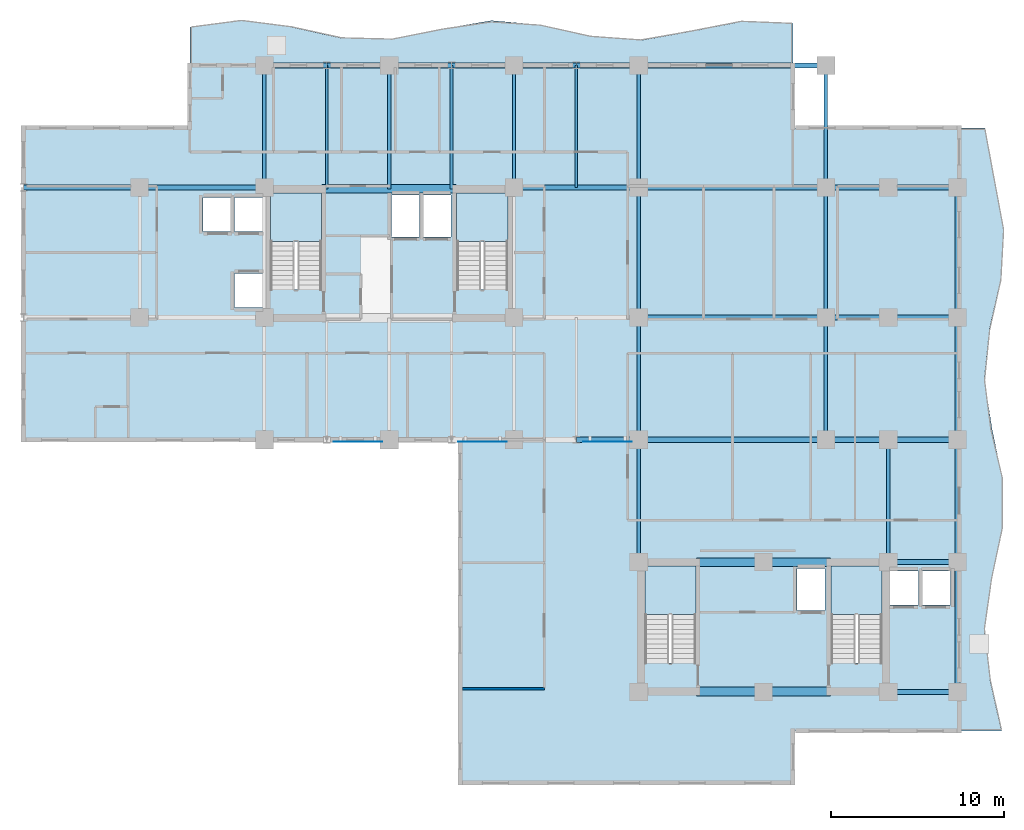
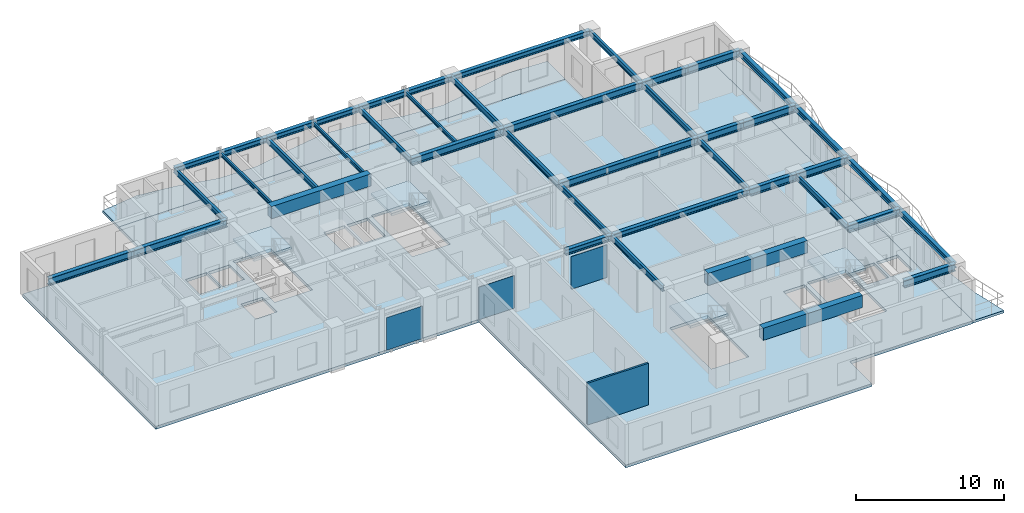
# One storey, part 3 of 13: 43 beams, 7 slabs, 3 plates, 1 wall, 4 elements without a shape of their own.
"""IFC4 building model written with IfcOpenShell, lengths in metres."""

from ifc_helpers import new_model, si_unit, direction, frame, frame_2d, origin, origin_2d, place, context, subcontext, project, spatial, polyline, rectangle, i_section, outline, extrude, source, transform, mapped, material, layer, layer_set, material_profile, profile_set, type_object, element, aggregate, save


model = new_model("IFC4")

# Units and contexts
model_context = context("Model", 3, precision=1e-05, world=origin(), true_north=direction((0.0, 1.0)))
body_context = subcontext(model_context, "Body", "Model", "MODEL_VIEW")
ifc_project = project(units=[si_unit("LENGTHUNIT", "METRE"), si_unit("AREAUNIT", "SQUARE_METRE"), si_unit("VOLUMEUNIT", "CUBIC_METRE"), si_unit("PLANEANGLEUNIT", "RADIAN"), si_unit("MASSUNIT", "GRAM", prefix="KILO")], contexts=[model_context])

# Site, building, storey
site_placement = place(None, origin())
site = spatial("IfcSite", under=ifc_project, at=site_placement, CompositionType="ELEMENT")
building_placement = place(site_placement, origin())
building = spatial("IfcBuilding", under=site, at=building_placement, Name="Kaliganga Portal Commons", CompositionType="ELEMENT")
storey_placement = place(building_placement, frame((0.0, 0.0, 180.89990234375)))
storey = spatial("IfcBuildingStorey", under=building, at=storey_placement, Name="L46", CompositionType="ELEMENT", Elevation=180.89990234375)

# Beams
ifc_material_1 = material(Name="Concrete C50/60", Category="concrete")
ifc_material_profile_1 = material_profile(ifc_material_1, rectangle(XDim=0.5, YDim=1.0, at=origin_2d()), Name="RC 500x1000")
ifc_profile_set_1 = profile_set([ifc_material_profile_1], Name="Concrete C50/60")
beam_type_1 = type_object("IfcBeamType", Name="BM-CPL-1000", PredefinedType="LINTEL", material=ifc_profile_set_1)
shared_shape_1 = source(origin(), body_context, "Body", "SweptSolid", [
    extrude(rectangle(XDim=0.5, YDim=1.0, at=origin_2d()), origin(), (0.0, 0.0, 1.0), 7.739990234375),
])
for number, where, z_axis, x_axis, name in (
    (1, (17.72998046875, 36.074951171875, 2.960205078125), (1.0, 0.0, 0.0), (0.0, 1.0, 0.0), "BM CPL COREA L46 N"),
    (2, (39.330078125, 7.074951171875, 2.960205078125), (1.0, 0.0, 0.0), (0.0, 1.0, 0.0), "BM CPL COREB L46 S"),
    (3, (39.330078125, 14.52490234375, 2.960205078125), (1.0, 0.0, 0.0), (0.0, 1.0, 0.0), "BM CPL COREB L46 N"),
):
    element("IfcBeam", number, at=place(storey_placement, frame(where, z_axis=z_axis, x_axis=x_axis)), inside=storey, type_object=beam_type_1, Name=name, PredefinedType="LINTEL", context=body_context, shape_type="MappedRepresentation", body=[
        mapped(shared_shape_1, transform((0.0, 0.0, 0.0), x_axis=(1.0, 0.0, 0.0), y_axis=(0.0, 1.0, 0.0), z_axis=(0.0, 0.0, 1.0), scale=1.0)),
    ])
ifc_material_2 = material(Name="Structural steel S355J2", Category="steel")
ifc_material_profile_2 = material_profile(ifc_material_2, i_section(OverallWidth=0.300048828125, OverallDepth=0.449951171875, WebThickness=0.013916015625, FlangeThickness=0.02587890625, FilletRadius=0.027099609375, at=origin_2d()), Name="HE 450 B")
ifc_profile_set_2 = profile_set([ifc_material_profile_2], Name="Structural steel S355J2 wide-flange")
beam_type_2 = type_object("IfcBeamType", Name="BM-SPAND-450", PredefinedType="SPANDREL", material=ifc_profile_set_2)
shared_shape_2 = source(origin(), body_context, "Body", "SweptSolid", [
    extrude(i_section(OverallWidth=0.300048828125, OverallDepth=0.449951171875, WebThickness=0.013916015625, FlangeThickness=0.02587890625, FilletRadius=0.027099609375, at=origin_2d()), origin(), (0.0, 0.0, 1.0), 3.60009765625),
])
for number, where, z_axis, x_axis, name in (
    (4, (14.39990234375, 43.199951171875, 3.235107421875), (1.0, 0.0, 0.0), (0.0, 1.0, 0.0), "BM SP L46 AN 1"),
    (5, (18.0, 43.199951171875, 3.235107421875), (1.0, 0.0, 0.0), (0.0, 1.0, 0.0), "BM SP L46 AN 2"),
    (6, (25.199951171875, 43.199951171875, 3.235107421875), (1.0, 0.0, 0.0), (0.0, 1.0, 0.0), "BM SP L46 AN 4"),
    (7, (32.39990234375, 43.199951171875, 3.235107421875), (1.0, 0.0, 0.0), (0.0, 1.0, 0.0), "BM SP L46 AN 6"),
    (8, (32.39990234375, 21.60009765625, 3.235107421875), (1.0, 0.0, 0.0), (0.0, 1.0, 0.0), "BM SP L46 AS 6"),
):
    element("IfcBeam", number, at=place(storey_placement, frame(where, z_axis=z_axis, x_axis=x_axis)), inside=storey, type_object=beam_type_2, Name=name, PredefinedType="SPANDREL", context=body_context, shape_type="MappedRepresentation", body=[
        mapped(shared_shape_2, transform((0.0, 0.0, 0.0), x_axis=(1.0, 0.0, 0.0), y_axis=(0.0, 1.0, 0.0), z_axis=(0.0, 0.0, 1.0), scale=1.0)),
    ])
shared_shape_3 = source(origin(), body_context, "Body", "SweptSolid", [
    extrude(i_section(OverallWidth=0.300048828125, OverallDepth=0.449951171875, WebThickness=0.013916015625, FlangeThickness=0.02587890625, FilletRadius=0.027099609375, at=origin_2d()), origin(), (0.0, 0.0, 1.0), 3.599853515625),
])
for number, where, z_axis, x_axis, name in (
    (9, (21.60009765625, 43.199951171875, 3.235107421875), (1.0, 0.0, 0.0), (0.0, 1.0, 0.0), "BM SP L46 AN 3"),
    (10, (28.800048828125, 43.199951171875, 3.235107421875), (1.0, 0.0, 0.0), (0.0, 1.0, 0.0), "BM SP L46 AN 5"),
):
    element("IfcBeam", number, at=place(storey_placement, frame(where, z_axis=z_axis, x_axis=x_axis)), inside=storey, type_object=beam_type_2, Name=name, PredefinedType="SPANDREL", context=body_context, shape_type="MappedRepresentation", body=[
        mapped(shared_shape_3, transform((0.0, 0.0, 0.0), x_axis=(1.0, 0.0, 0.0), y_axis=(0.0, 1.0, 0.0), z_axis=(0.0, 0.0, 1.0), scale=1.0)),
    ])
shared_shape_4 = source(origin(), body_context, "Body", "SweptSolid", [
    extrude(i_section(OverallWidth=0.300048828125, OverallDepth=0.449951171875, WebThickness=0.013916015625, FlangeThickness=0.02587890625, FilletRadius=0.027099609375, at=origin_2d()), origin(), (0.0, 0.0, 1.0), 10.800048828125),
])
for number, where, z_axis, x_axis, name in (
    (11, (36.0, 43.199951171875, 3.235107421875), (1.0, 0.0, 0.0), (0.0, 1.0, 0.0), "BM SP L46 AN 7"),
    (12, (36.0, 21.60009765625, 3.235107421875), (1.0, 0.0, 0.0), (0.0, 1.0, 0.0), "BM SP L46 AS 7"),
):
    element("IfcBeam", number, at=place(storey_placement, frame(where, z_axis=z_axis, x_axis=x_axis)), inside=storey, type_object=beam_type_2, Name=name, PredefinedType="SPANDREL", context=body_context, shape_type="MappedRepresentation", body=[
        mapped(shared_shape_4, transform((0.0, 0.0, 0.0), x_axis=(1.0, 0.0, 0.0), y_axis=(0.0, 1.0, 0.0), z_axis=(0.0, 0.0, 1.0), scale=1.0)),
    ])
shared_shape_5 = source(origin(), body_context, "Body", "SweptSolid", [
    extrude(i_section(OverallWidth=0.300048828125, OverallDepth=0.449951171875, WebThickness=0.013916015625, FlangeThickness=0.02587890625, FilletRadius=0.027099609375, at=origin_2d()), origin(), (0.0, 0.0, 1.0), 7.5),
])
for number, where, z_axis, x_axis, name in (
    (13, (54.39990234375, 7.050048828125, 3.235107421875), (0.0, 1.0, 0.0), (-1.0, 0.0, 0.0), "BM SP L46 BE 1"),
    (14, (54.39990234375, 28.64990234375, 3.235107421875), (0.0, 1.0, 0.0), (-1.0, 0.0, 0.0), "BM SP L46 BE 4"),
):
    element("IfcBeam", number, at=place(storey_placement, frame(where, z_axis=z_axis, x_axis=x_axis)), inside=storey, type_object=beam_type_2, Name=name, PredefinedType="SPANDREL", context=body_context, shape_type="MappedRepresentation", body=[
        mapped(shared_shape_5, transform((0.0, 0.0, 0.0), x_axis=(1.0, 0.0, 0.0), y_axis=(0.0, 1.0, 0.0), z_axis=(0.0, 0.0, 1.0), scale=1.0)),
    ])
shared_shape_6 = source(origin(), body_context, "Body", "SweptSolid", [
    extrude(i_section(OverallWidth=0.300048828125, OverallDepth=0.449951171875, WebThickness=0.013916015625, FlangeThickness=0.02587890625, FilletRadius=0.027099609375, at=origin_2d()), origin(), (0.0, 0.0, 1.0), 7.050048828125),
])
beam_1_placement = place(storey_placement, frame((54.39990234375, 14.550048828125, 3.235107421875), z_axis=(0.0, 1.0, 0.0), x_axis=(-1.0, 0.0, 0.0)))
element("IfcBeam", 15, at=beam_1_placement, inside=storey, type_object=beam_type_2, Name="BM SP L46 BE 2", PredefinedType="SPANDREL", context=body_context, shape_type="MappedRepresentation", body=[
    mapped(shared_shape_6, transform((0.0, 0.0, 0.0), x_axis=(1.0, 0.0, 0.0), y_axis=(0.0, 1.0, 0.0), z_axis=(0.0, 0.0, 1.0), scale=1.0)),
])
shared_shape_7 = source(origin(), body_context, "Body", "SweptSolid", [
    extrude(i_section(OverallWidth=0.300048828125, OverallDepth=0.449951171875, WebThickness=0.013916015625, FlangeThickness=0.02587890625, FilletRadius=0.027099609375, at=origin_2d()), origin(), (0.0, 0.0, 1.0), 7.0498046875),
])
beam_2_placement = place(storey_placement, frame((54.39990234375, 21.60009765625, 3.235107421875), z_axis=(0.0, 1.0, 0.0), x_axis=(-1.0, 0.0, 0.0)))
element("IfcBeam", 16, at=beam_2_placement, inside=storey, type_object=beam_type_2, Name="BM SP L46 BE 3", PredefinedType="SPANDREL", context=body_context, shape_type="MappedRepresentation", body=[
    mapped(shared_shape_7, transform((0.0, 0.0, 0.0), x_axis=(1.0, 0.0, 0.0), y_axis=(0.0, 1.0, 0.0), z_axis=(0.0, 0.0, 1.0), scale=1.0)),
])
ifc_material_profile_3 = material_profile(ifc_material_2, i_section(OverallWidth=0.300048828125, OverallDepth=0.60009765625, WebThickness=0.015380859375, FlangeThickness=0.030029296875, FilletRadius=0.027099609375, at=origin_2d()), Name="HE 600 B")
ifc_profile_set_3 = profile_set([ifc_material_profile_3], Name="Structural steel S355J2 wide-flange")
beam_type_3 = type_object("IfcBeamType", Name="BM-GIRD-600", PredefinedType="USERDEFINED", material=ifc_profile_set_3)
shared_shape_8 = source(origin(), body_context, "Body", "SweptSolid", [
    extrude(i_section(OverallWidth=0.300048828125, OverallDepth=0.60009765625, WebThickness=0.015380859375, FlangeThickness=0.030029296875, FilletRadius=0.027099609375, at=origin_2d()), origin(), (0.0, 0.0, 1.0), 6.699951171875),
])
beam_3_placement = place(storey_placement, frame((0.5, 36.14990234375, 3.16015625), z_axis=(1.0, 0.0, 0.0), x_axis=(0.0, 1.0, 0.0)))
element("IfcBeam", 17, at=beam_3_placement, inside=storey, type_object=beam_type_3, Name="BM G L46 WAH_N 1", ObjectType="GIRDER", PredefinedType="USERDEFINED", context=body_context, shape_type="MappedRepresentation", body=[
    mapped(shared_shape_8, transform((0.0, 0.0, 0.0), x_axis=(1.0, 0.0, 0.0), y_axis=(0.0, 1.0, 0.0), z_axis=(0.0, 0.0, 1.0), scale=1.0)),
])
shared_shape_9 = source(origin(), body_context, "Body", "SweptSolid", [
    extrude(i_section(OverallWidth=0.300048828125, OverallDepth=0.60009765625, WebThickness=0.015380859375, FlangeThickness=0.030029296875, FilletRadius=0.027099609375, at=origin_2d()), origin(), (0.0, 0.0, 1.0), 7.199951171875),
])
for number, where, z_axis, x_axis, name in (
    (18, (7.199951171875, 36.14990234375, 3.16015625), (1.0, 0.0, 0.0), (0.0, 1.0, 0.0), "BM G L46 WAH_N 2"),
    (19, (28.800048828125, 36.14990234375, 3.16015625), (1.0, 0.0, 0.0), (0.0, 1.0, 0.0), "BM G L46 WAE_N 1"),
):
    element("IfcBeam", number, at=place(storey_placement, frame(where, z_axis=z_axis, x_axis=x_axis)), inside=storey, type_object=beam_type_3, Name=name, ObjectType="GIRDER", PredefinedType="USERDEFINED", context=body_context, shape_type="MappedRepresentation", body=[
        mapped(shared_shape_9, transform((0.0, 0.0, 0.0), x_axis=(1.0, 0.0, 0.0), y_axis=(0.0, 1.0, 0.0), z_axis=(0.0, 0.0, 1.0), scale=1.0)),
    ])
shared_shape_10 = source(origin(), body_context, "Body", "SweptSolid", [
    extrude(i_section(OverallWidth=0.300048828125, OverallDepth=0.60009765625, WebThickness=0.015380859375, FlangeThickness=0.030029296875, FilletRadius=0.027099609375, at=origin_2d()), origin(), (0.0, 0.0, 1.0), 10.800048828125),
])
for number, where, z_axis, x_axis, name in (
    (20, (36.0, 28.64990234375, 3.16015625), (1.0, 0.0, 0.0), (0.0, 1.0, 0.0), "BM G L46 WAE_S 2"),
    (21, (36.0, 36.14990234375, 3.16015625), (1.0, 0.0, 0.0), (0.0, 1.0, 0.0), "BM G L46 WAE_N 2"),
):
    element("IfcBeam", number, at=place(storey_placement, frame(where, z_axis=z_axis, x_axis=x_axis)), inside=storey, type_object=beam_type_3, Name=name, ObjectType="GIRDER", PredefinedType="USERDEFINED", context=body_context, shape_type="MappedRepresentation", body=[
        mapped(shared_shape_10, transform((0.0, 0.0, 0.0), x_axis=(1.0, 0.0, 0.0), y_axis=(0.0, 1.0, 0.0), z_axis=(0.0, 0.0, 1.0), scale=1.0)),
    ])
shared_shape_11 = source(origin(), body_context, "Body", "SweptSolid", [
    extrude(i_section(OverallWidth=0.300048828125, OverallDepth=0.60009765625, WebThickness=0.015380859375, FlangeThickness=0.030029296875, FilletRadius=0.027099609375, at=origin_2d()), origin(), (0.0, 0.0, 1.0), 4.0),
])
for number, where, z_axis, x_axis, name in (
    (22, (50.39990234375, 7.050048828125, 3.16015625), (1.0, 0.0, 0.0), (0.0, 1.0, 0.0), "BM G L46 BKE70 1"),
    (23, (50.39990234375, 14.550048828125, 3.16015625), (1.0, 0.0, 0.0), (0.0, 1.0, 0.0), "BM G L46 BKE146 1"),
    (24, (50.39990234375, 21.60009765625, 3.16015625), (1.0, 0.0, 0.0), (0.0, 1.0, 0.0), "BM G L46 BKE216 2"),
    (25, (50.39990234375, 28.64990234375, 3.16015625), (1.0, 0.0, 0.0), (0.0, 1.0, 0.0), "BM G L46 BKE286 2"),
    (26, (50.39990234375, 36.14990234375, 3.16015625), (1.0, 0.0, 0.0), (0.0, 1.0, 0.0), "BM G L46 BKE362 2"),
):
    element("IfcBeam", number, at=place(storey_placement, frame(where, z_axis=z_axis, x_axis=x_axis)), inside=storey, type_object=beam_type_3, Name=name, ObjectType="GIRDER", PredefinedType="USERDEFINED", context=body_context, shape_type="MappedRepresentation", body=[
        mapped(shared_shape_11, transform((0.0, 0.0, 0.0), x_axis=(1.0, 0.0, 0.0), y_axis=(0.0, 1.0, 0.0), z_axis=(0.0, 0.0, 1.0), scale=1.0)),
    ])
shared_shape_12 = source(origin(), body_context, "Body", "SweptSolid", [
    extrude(i_section(OverallWidth=0.300048828125, OverallDepth=0.60009765625, WebThickness=0.015380859375, FlangeThickness=0.030029296875, FilletRadius=0.027099609375, at=origin_2d()), origin(), (0.0, 0.0, 1.0), 3.599853515625),
])
for number, where, z_axis, x_axis, name in (
    (27, (46.800048828125, 21.60009765625, 3.16015625), (1.0, 0.0, 0.0), (0.0, 1.0, 0.0), "BM G L46 BKE216 1"),
    (28, (46.800048828125, 28.64990234375, 3.16015625), (1.0, 0.0, 0.0), (0.0, 1.0, 0.0), "BM G L46 BKE286 1"),
    (29, (46.800048828125, 36.14990234375, 3.16015625), (1.0, 0.0, 0.0), (0.0, 1.0, 0.0), "BM G L46 BKE362 1"),
):
    element("IfcBeam", number, at=place(storey_placement, frame(where, z_axis=z_axis, x_axis=x_axis)), inside=storey, type_object=beam_type_3, Name=name, ObjectType="GIRDER", PredefinedType="USERDEFINED", context=body_context, shape_type="MappedRepresentation", body=[
        mapped(shared_shape_12, transform((0.0, 0.0, 0.0), x_axis=(1.0, 0.0, 0.0), y_axis=(0.0, 1.0, 0.0), z_axis=(0.0, 0.0, 1.0), scale=1.0)),
    ])
ifc_material_profile_4 = material_profile(ifc_material_2, i_section(OverallWidth=0.18994140625, OverallDepth=0.449951171875, WebThickness=0.009521484375, FlangeThickness=0.0146484375, FilletRadius=0.02099609375, at=origin_2d()), Name="IPE 450")
ifc_profile_set_4 = profile_set([ifc_material_profile_4], Name="Structural steel S355J2 wide-flange")
beam_type_4 = type_object("IfcBeamType", Name="BM-FLR-450", PredefinedType="BEAM", material=ifc_profile_set_4)
shared_shape_13 = source(origin(), body_context, "Body", "SweptSolid", [
    extrude(i_section(OverallWidth=0.18994140625, OverallDepth=0.449951171875, WebThickness=0.009521484375, FlangeThickness=0.0146484375, FilletRadius=0.02099609375, at=origin_2d()), origin(), (0.0, 0.0, 1.0), 7.5),
])
for number, where, z_axis, x_axis, name in (
    (30, (36.0, 28.64990234375, 3.235107421875), (0.0, 1.0, 0.0), (-1.0, 0.0, 0.0), "BM G L46 AM360"),
    (31, (46.800048828125, 28.64990234375, 3.235107421875), (0.0, 1.0, 0.0), (-1.0, 0.0, 0.0), "BM G L46 AM468"),
):
    element("IfcBeam", number, at=place(storey_placement, frame(where, z_axis=z_axis, x_axis=x_axis)), inside=storey, type_object=beam_type_4, Name=name, PredefinedType="BEAM", context=body_context, shape_type="MappedRepresentation", body=[
        mapped(shared_shape_13, transform((0.0, 0.0, 0.0), x_axis=(1.0, 0.0, 0.0), y_axis=(0.0, 1.0, 0.0), z_axis=(0.0, 0.0, 1.0), scale=1.0)),
    ])
shared_shape_14 = source(origin(), body_context, "Body", "SweptSolid", [
    extrude(i_section(OverallWidth=0.18994140625, OverallDepth=0.449951171875, WebThickness=0.009521484375, FlangeThickness=0.0146484375, FilletRadius=0.02099609375, at=origin_2d()), origin(), (0.0, 0.0, 1.0), 7.050048828125),
])
for number, where, z_axis, x_axis, name in (
    (32, (14.39990234375, 36.14990234375, 3.235107421875), (0.0, 1.0, 0.0), (-1.0, 0.0, 0.0), "BM G L46 AN144"),
    (33, (28.800048828125, 36.14990234375, 3.235107421875), (0.0, 1.0, 0.0), (-1.0, 0.0, 0.0), "BM G L46 AN288"),
    (34, (36.0, 36.14990234375, 3.235107421875), (0.0, 1.0, 0.0), (-1.0, 0.0, 0.0), "BM G L46 AN360"),
    (35, (46.800048828125, 36.14990234375, 3.235107421875), (0.0, 1.0, 0.0), (-1.0, 0.0, 0.0), "BM G L46 AN468"),
    (36, (36.0, 14.550048828125, 3.235107421875), (0.0, 1.0, 0.0), (-1.0, 0.0, 0.0), "BM G L46 BNK360"),
    (37, (50.39990234375, 14.550048828125, 3.235107421875), (0.0, 1.0, 0.0), (-1.0, 0.0, 0.0), "BM G L46 BNK504"),
):
    element("IfcBeam", number, at=place(storey_placement, frame(where, z_axis=z_axis, x_axis=x_axis)), inside=storey, type_object=beam_type_4, Name=name, PredefinedType="BEAM", context=body_context, shape_type="MappedRepresentation", body=[
        mapped(shared_shape_14, transform((0.0, 0.0, 0.0), x_axis=(1.0, 0.0, 0.0), y_axis=(0.0, 1.0, 0.0), z_axis=(0.0, 0.0, 1.0), scale=1.0)),
    ])
shared_shape_15 = source(origin(), body_context, "Body", "SweptSolid", [
    extrude(i_section(OverallWidth=0.18994140625, OverallDepth=0.449951171875, WebThickness=0.009521484375, FlangeThickness=0.0146484375, FilletRadius=0.02099609375, at=origin_2d()), origin(), (0.0, 0.0, 1.0), 7.0498046875),
])
for number, where, z_axis, x_axis, name in (
    (38, (36.0, 21.60009765625, 3.235107421875), (0.0, 1.0, 0.0), (-1.0, 0.0, 0.0), "BM G L46 AS360"),
    (39, (46.800048828125, 21.60009765625, 3.235107421875), (0.0, 1.0, 0.0), (-1.0, 0.0, 0.0), "BM G L46 AS468"),
):
    element("IfcBeam", number, at=place(storey_placement, frame(where, z_axis=z_axis, x_axis=x_axis)), inside=storey, type_object=beam_type_4, Name=name, PredefinedType="BEAM", context=body_context, shape_type="MappedRepresentation", body=[
        mapped(shared_shape_15, transform((0.0, 0.0, 0.0), x_axis=(1.0, 0.0, 0.0), y_axis=(0.0, 1.0, 0.0), z_axis=(0.0, 0.0, 1.0), scale=1.0)),
    ])
ifc_material_profile_5 = material_profile(ifc_material_2, i_section(OverallWidth=0.14990234375, OverallDepth=0.300048828125, WebThickness=0.007080078125, FlangeThickness=0.0107421875, FilletRadius=0.014892578125, at=origin_2d()), Name="IPE 300")
ifc_profile_set_5 = profile_set([ifc_material_profile_5], Name="Structural steel S355J2 wide-flange")
beam_type_5 = type_object("IfcBeamType", Name="BM-JST-300", PredefinedType="JOIST", material=ifc_profile_set_5)
shared_shape_16 = source(origin(), body_context, "Body", "SweptSolid", [
    extrude(i_section(OverallWidth=0.14990234375, OverallDepth=0.300048828125, WebThickness=0.007080078125, FlangeThickness=0.0107421875, FilletRadius=0.014892578125, at=origin_2d()), origin(), (0.0, 0.0, 1.0), 7.125),
])
for number, where, z_axis, x_axis, name in (
    (40, (18.0, 36.074951171875, 3.31005859375), (0.0, 1.0, 0.0), (-1.0, 0.0, 0.0), "BM G L46 AN180"),
    (41, (25.199951171875, 36.074951171875, 3.31005859375), (0.0, 1.0, 0.0), (-1.0, 0.0, 0.0), "BM G L46 AN252"),
):
    element("IfcBeam", number, at=place(storey_placement, frame(where, z_axis=z_axis, x_axis=x_axis)), inside=storey, type_object=beam_type_5, Name=name, PredefinedType="JOIST", context=body_context, shape_type="MappedRepresentation", body=[
        mapped(shared_shape_16, transform((0.0, 0.0, 0.0), x_axis=(1.0, 0.0, 0.0), y_axis=(0.0, 1.0, 0.0), z_axis=(0.0, 0.0, 1.0), scale=1.0)),
    ])
shared_shape_17 = source(origin(), body_context, "Body", "SweptSolid", [
    extrude(i_section(OverallWidth=0.18994140625, OverallDepth=0.449951171875, WebThickness=0.009521484375, FlangeThickness=0.0146484375, FilletRadius=0.02099609375, at=origin_2d()), origin(), (0.0, 0.0, 1.0), 7.125),
])
beam_4_placement = place(storey_placement, frame((21.60009765625, 36.074951171875, 3.235107421875), z_axis=(0.0, 1.0, 0.0), x_axis=(-1.0, 0.0, 0.0)))
element("IfcBeam", 42, at=beam_4_placement, inside=storey, type_object=beam_type_4, Name="BM G L46 AN216", PredefinedType="BEAM", context=body_context, shape_type="MappedRepresentation", body=[
    mapped(shared_shape_17, transform((0.0, 0.0, 0.0), x_axis=(1.0, 0.0, 0.0), y_axis=(0.0, 1.0, 0.0), z_axis=(0.0, 0.0, 1.0), scale=1.0)),
])
shared_shape_18 = source(origin(), body_context, "Body", "SweptSolid", [
    extrude(i_section(OverallWidth=0.14990234375, OverallDepth=0.300048828125, WebThickness=0.007080078125, FlangeThickness=0.0107421875, FilletRadius=0.014892578125, at=origin_2d()), origin(), (0.0, 0.0, 1.0), 7.050048828125),
])
beam_5_placement = place(storey_placement, frame((32.39990234375, 36.14990234375, 3.31005859375), z_axis=(0.0, 1.0, 0.0), x_axis=(-1.0, 0.0, 0.0)))
element("IfcBeam", 43, at=beam_5_placement, inside=storey, type_object=beam_type_5, Name="BM G L46 AN324", PredefinedType="JOIST", context=body_context, shape_type="MappedRepresentation", body=[
    mapped(shared_shape_18, transform((0.0, 0.0, 0.0), x_axis=(1.0, 0.0, 0.0), y_axis=(0.0, 1.0, 0.0), z_axis=(0.0, 0.0, 1.0), scale=1.0)),
])

# Slabs
ifc_material_3 = material(Name="Concrete C40/50", Category="concrete")
ifc_layer_1 = layer(ifc_material_3, 0.2099609375)
ifc_layer_set_1 = layer_set([ifc_layer_1], Name="Concrete C40/50")
slab_type_1 = type_object("IfcSlabType", Name="SLB-BALC-210", PredefinedType="FLOOR", material=ifc_layer_set_1)
slab_1_placement = place(storey_placement, frame((0.0, 0.0, -0.2099609375)))
element("IfcSlab", 44, at=slab_1_placement, inside=storey, type_object=slab_type_1, Name="Scalloped Tree-Planter Balcony Slab L46 balc_north", PredefinedType="FLOOR", context=body_context, shape_type="SweptSolid", body=[
    extrude(outline(polyline([(44.89990234375, 43.199951171875), (44.89990234375, 45.630615234375), (42.0, 45.74755859375), (39.10009765625, 45.17919921875), (36.199951171875, 44.666015625), (33.300048828125, 44.87646484375), (30.39990234375, 45.53662109375), (27.5, 45.7861328125), (24.60009765625, 45.300048828125), (21.699951171875, 44.711669921875), (18.800048828125, 44.78759765625), (15.89990234375, 45.4287109375), (13.0, 45.800048828125), (10.10009765625, 45.41748046875), (10.10009765625, 43.199951171875), (44.89990234375, 43.199951171875)])), origin(), (0.0, 0.0, 1.0), 0.2099609375),
])
slab_2_placement = place(storey_placement, frame((0.0, 0.0, -0.2099609375)))
element("IfcSlab", 45, at=slab_2_placement, inside=storey, type_object=slab_type_1, Name="Scalloped Tree-Planter Balcony Slab L46 balc_east", PredefinedType="FLOOR", context=body_context, shape_type="SweptSolid", body=[
    extrude(outline(polyline([(54.5, 4.800048828125), (56.930419921875, 4.800048828125), (56.280517578125, 7.699951171875), (55.944580078125, 10.60009765625), (56.360107421875, 13.5), (56.98583984375, 16.39990234375), (57.006591796875, 19.300048828125), (56.395263671875, 22.199951171875), (55.9482421875, 25.10009765625), (56.248046875, 28.0), (56.904052734375, 30.89990234375), (57.0615234375, 33.800048828125), (56.515380859375, 36.699951171875), (55.97705078125, 39.60009765625), (54.5, 39.60009765625), (54.5, 4.800048828125)])), origin(), (0.0, 0.0, 1.0), 0.2099609375),
])

# Stair, slab
stair_type = type_object("IfcStairType", Name="ST-CORE-DOGLEG", PredefinedType="HALF_TURN_STAIR", material=ifc_material_3)
stair_1_placement = place(storey_placement, origin())
stair_1 = element("IfcStair", 46, at=stair_1_placement, inside=storey, type_object=stair_type, Name="L46 Protected Exit Stair ST-A1", PredefinedType="HALF_TURN_STAIR")
ifc_layer_2 = layer(ifc_material_3, 0.199951171875)
ifc_layer_set_2 = layer_set([ifc_layer_2], Name="Concrete C40/50")
slab_type_2 = type_object("IfcSlabType", Name="SLB-STAIR-LND", PredefinedType="LANDING", material=ifc_layer_set_2)
slab_3_placement = place(storey_placement, frame((0.0, 0.0, 1.650146484375)))
slab_3 = element("IfcSlab", 47, at=slab_3_placement, type_object=slab_type_2, Name="ST-A1 landing 1", PredefinedType="LANDING", context=body_context, shape_type="SweptSolid", body=[
    extrude(outline(polyline([(17.699951171875, 33.050048828125), (17.699951171875, 35.85009765625), (14.75, 35.85009765625), (14.75, 33.050048828125), (17.699951171875, 33.050048828125)])), origin(), (0.0, 0.0, 1.0), 0.199951171875),
])
aggregate(stair_1, [slab_3])

stair_2_placement = place(storey_placement, origin())
stair_2 = element("IfcStair", 48, at=stair_2_placement, inside=storey, type_object=stair_type, Name="L46 Protected Exit Stair ST-A2", PredefinedType="HALF_TURN_STAIR")
slab_4_placement = place(storey_placement, frame((0.0, 0.0, 1.650146484375)))
slab_4 = element("IfcSlab", 49, at=slab_4_placement, type_object=slab_type_2, Name="ST-A2 landing 1", PredefinedType="LANDING", context=body_context, shape_type="SweptSolid", body=[
    extrude(outline(polyline([(28.449951171875, 33.050048828125), (28.449951171875, 35.85009765625), (25.5, 35.85009765625), (25.5, 33.050048828125), (28.449951171875, 33.050048828125)])), origin(), (0.0, 0.0, 1.0), 0.199951171875),
])
aggregate(stair_2, [slab_4])

stair_3_placement = place(storey_placement, origin())
stair_3 = element("IfcStair", 50, at=stair_3_placement, inside=storey, type_object=stair_type, Name="L46 Protected Exit Stair ST-B1", PredefinedType="HALF_TURN_STAIR")
slab_5_placement = place(storey_placement, frame((0.0, 0.0, 1.650146484375)))
slab_5 = element("IfcSlab", 51, at=slab_5_placement, type_object=slab_type_2, Name="ST-B1 landing 1", PredefinedType="LANDING", context=body_context, shape_type="SweptSolid", body=[
    extrude(outline(polyline([(39.300048828125, 11.5), (39.300048828125, 14.300048828125), (36.35009765625, 14.300048828125), (36.35009765625, 11.5), (39.300048828125, 11.5)])), origin(), (0.0, 0.0, 1.0), 0.199951171875),
])
aggregate(stair_3, [slab_5])

stair_4_placement = place(storey_placement, origin())
stair_4 = element("IfcStair", 52, at=stair_4_placement, inside=storey, type_object=stair_type, Name="L46 Protected Exit Stair ST-B2", PredefinedType="HALF_TURN_STAIR")
slab_6_placement = place(storey_placement, frame((0.0, 0.0, 1.650146484375)))
slab_6 = element("IfcSlab", 53, at=slab_6_placement, type_object=slab_type_2, Name="ST-B2 landing 1", PredefinedType="LANDING", context=body_context, shape_type="SweptSolid", body=[
    extrude(outline(polyline([(50.050048828125, 11.5), (50.050048828125, 14.300048828125), (47.10009765625, 14.300048828125), (47.10009765625, 11.5), (50.050048828125, 11.5)])), origin(), (0.0, 0.0, 1.0), 0.199951171875),
])
aggregate(stair_4, [slab_6])

# Slab
ifc_layer_3 = layer(ifc_material_3, 0.239990234375)
ifc_layer_set_3 = layer_set([ifc_layer_3], Name="Concrete C40/50")
slab_type_3 = type_object("IfcSlabType", Name="SLB-TWR-240", PredefinedType="FLOOR", material=ifc_layer_set_3)
slab_7_placement = place(storey_placement, frame((0.0, 0.0, -0.239990234375)))
element("IfcSlab", 54, at=slab_7_placement, inside=storey, type_object=slab_type_3, Name="Structural Floor Slab L46", PredefinedType="FLOOR", context=body_context, shape_type="SweptSolid", body=[
    extrude(outline(polyline([(25.699951171875, 1.800048828125), (44.89990234375, 1.800048828125), (44.89990234375, 4.800048828125), (54.5, 4.800048828125), (54.5, 39.60009765625), (44.89990234375, 39.60009765625), (44.89990234375, 43.199951171875), (10.10009765625, 43.199951171875), (10.10009765625, 39.60009765625), (0.5, 39.60009765625), (0.5, 21.60009765625), (25.699951171875, 21.60009765625), (25.699951171875, 1.800048828125)]), holes=[polyline([(14.75, 30.25390625), (14.75, 35.85009765625), (17.699951171875, 35.85009765625), (17.699951171875, 30.25390625), (14.75, 30.25390625)]), polyline([(25.5, 30.25390625), (25.5, 35.85009765625), (28.449951171875, 35.85009765625), (28.449951171875, 30.25390625), (25.5, 30.25390625)]), polyline([(36.35009765625, 8.7041015625), (36.35009765625, 14.300048828125), (39.300048828125, 14.300048828125), (39.300048828125, 8.7041015625), (36.35009765625, 8.7041015625)]), polyline([(47.10009765625, 8.7041015625), (47.10009765625, 14.300048828125), (50.050048828125, 14.300048828125), (50.050048828125, 8.7041015625), (47.10009765625, 8.7041015625)]), polyline([(12.6650390625, 33.614990234375), (12.6650390625, 35.5849609375), (14.3349609375, 35.5849609375), (14.3349609375, 33.614990234375), (12.6650390625, 33.614990234375)]), polyline([(12.6650390625, 29.215087890625), (12.6650390625, 31.18505859375), (14.3349609375, 31.18505859375), (14.3349609375, 29.215087890625), (12.6650390625, 29.215087890625)]), polyline([(10.864990234375, 33.614990234375), (10.864990234375, 35.5849609375), (12.534912109375, 35.5849609375), (12.534912109375, 33.614990234375), (10.864990234375, 33.614990234375)]), polyline([(21.739990234375, 33.2900390625), (21.739990234375, 35.7099609375), (23.360107421875, 35.7099609375), (23.360107421875, 33.2900390625), (21.739990234375, 33.2900390625)]), polyline([(23.5400390625, 33.2900390625), (23.5400390625, 35.7099609375), (25.159912109375, 35.7099609375), (25.159912109375, 33.2900390625), (23.5400390625, 33.2900390625)]), polyline([(50.465087890625, 12.06494140625), (50.465087890625, 14.034912109375), (52.135009765625, 14.034912109375), (52.135009765625, 12.06494140625), (50.465087890625, 12.06494140625)]), polyline([(52.31494140625, 12.06494140625), (52.31494140625, 14.034912109375), (53.985107421875, 14.034912109375), (53.985107421875, 12.06494140625), (52.31494140625, 12.06494140625)]), polyline([(45.139892578125, 11.739990234375), (45.139892578125, 14.159912109375), (46.760009765625, 14.159912109375), (46.760009765625, 11.739990234375), (45.139892578125, 11.739990234375)])]), origin(), (0.0, 0.0, 1.0), 0.239990234375),
])

# Plates
ifc_material_4 = material(Name="Perforated Bronze-Anodized Aluminium Solar Screen", Category="aluminium")
ifc_layer_4 = layer(ifc_material_4, 0.01806640625)
ifc_layer_set_4 = layer_set([ifc_layer_4], Name="Perforated Bronze-Anodized Aluminium Solar Screen")
plate_type = type_object("IfcPlateType", Name="PLT-SCR-18", PredefinedType="USERDEFINED", material=ifc_layer_set_4)
shared_shape_19 = source(origin(), body_context, "Body", "SweptSolid", [
    extrude(rectangle(XDim=2.800048828125, YDim=0.01806640625, at=origin_2d()), origin(), (0.0, 0.0, 1.0), 2.68994140625),
])
for number, where, z_axis, x_axis, name in (
    (55, (19.800048828125, 21.47998046875, 0.080078125), (0.0, 0.0, 1.0), (1.0, 0.0, 0.0), "Perforated Solar Screen L46-S1"),
    (56, (27.0, 21.47998046875, 0.080078125), (0.0, 0.0, 1.0), (1.0, 0.0, 0.0), "Perforated Solar Screen L46-S2"),
    (57, (34.199951171875, 21.47998046875, 0.080078125), (0.0, 0.0, 1.0), (1.0, 0.0, 0.0), "Perforated Solar Screen L46-S3"),
):
    element("IfcPlate", number, at=place(storey_placement, frame(where, z_axis=z_axis, x_axis=x_axis)), inside=storey, type_object=plate_type, Name=name, ObjectType="SOLAR SCREEN", PredefinedType="USERDEFINED", context=body_context, shape_type="MappedRepresentation", body=[
        mapped(shared_shape_19, transform((0.0, 0.0, 0.0), x_axis=(1.0, 0.0, 0.0), y_axis=(0.0, 1.0, 0.0), z_axis=(0.0, 0.0, 1.0), scale=1.0)),
    ])

# Wall
ifc_material_5 = material(Name="Fire-Rated Gypsum Board on Steel Stud", Category="steel")
ifc_layer_5 = layer(ifc_material_5, 0.14990234375)
ifc_layer_set_5 = layer_set([ifc_layer_5], Name="Fire-Rated Gypsum Board on Steel Stud")
wall_type = type_object("IfcWallType", Name="WL-PART-CORR-150", PredefinedType="PARTITIONING", material=ifc_layer_set_5)
wall_placement = place(storey_placement, frame((25.83203125, 7.239990234375, 0.0), z_axis=(0.0, 0.0, 1.0), x_axis=(1.0, 0.0, 0.0)))
element("IfcWall", 58, at=wall_placement, inside=storey, type_object=wall_type, Name="Interior Partition L46-026", PredefinedType="PARTITIONING", context=body_context, shape_type="SweptSolid", body=[
    extrude(rectangle(XDim=4.72802734375, YDim=0.14990234375, at=frame_2d((2.364013671875, 0.0))), origin(), (0.0, 0.0, 1.0), 3.440185546875),
])

save(model, "model.ifc")
